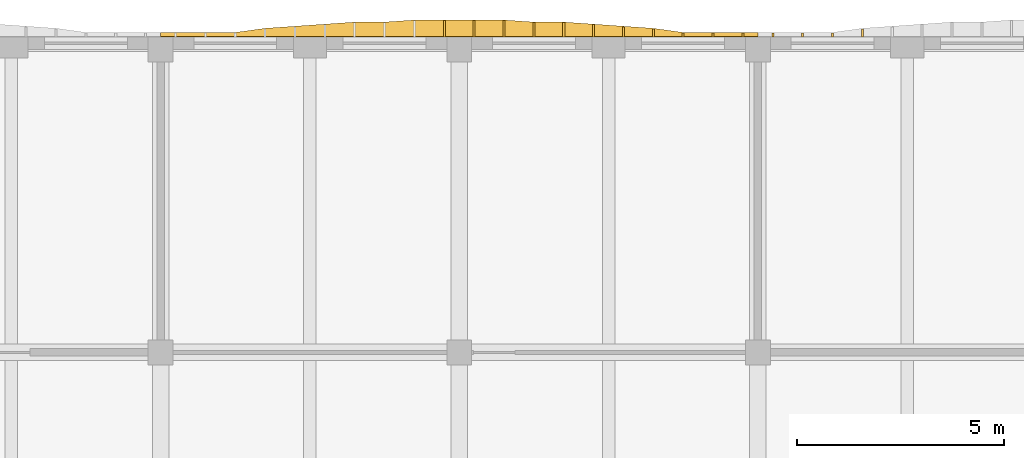
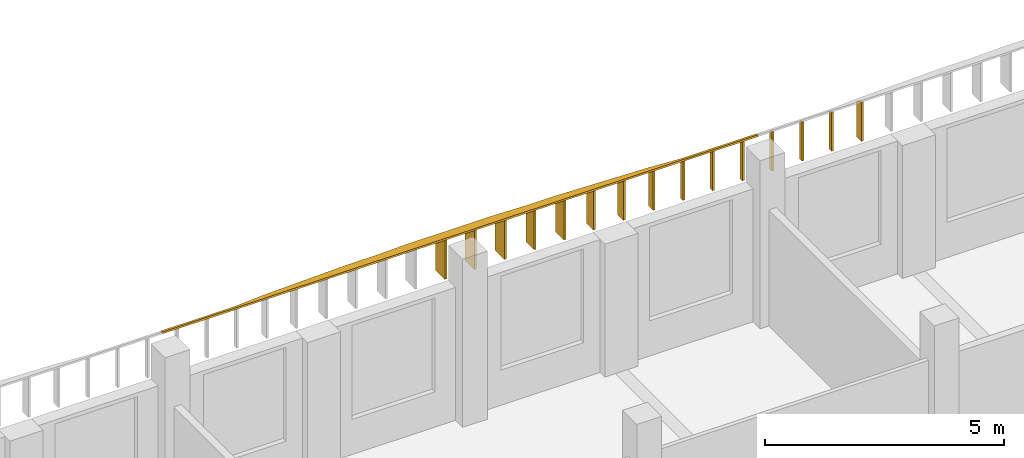
# One storey, part 27 of 38: 16 shading devices.
"""IFC4 building model written with IfcOpenShell, lengths in metres."""

import ifcopenshell
import ifcopenshell.guid

model = None  # the IFC model being written
_history = None  # IfcOwnerHistory: only IFC2X3 demands one
_inside = {}  # id of a spatial element -> (the spatial element, [elements in it])
_under = {}  # id of a project, library or spatial element -> (it, [spatial elements below it])
_declared = {}  # id of a project -> (the project, [libraries it declares])
_typed = {}  # id of a type object -> (the type object, [elements of that type])
_made_of = {}  # id of a material, layer set ... -> (it, [elements and type objects made of it])


def new_model(schema):
    """Start an empty IFC model of exactly this schema.

    Asked for "IFC4X3", IfcOpenShell would pick the latest addendum, in which some entities
    have other attributes; the version numbers below select the first issue.
    IFC2X3 requires an IfcOwnerHistory on every rooted entity: one is made here for all.
    """
    global model, _history
    if schema == "IFC4X3":
        model = ifcopenshell.file(schema_version=(4, 3, 0, 0))
    else:
        model = ifcopenshell.file(schema=schema)
    _inside.clear()
    _under.clear()
    _declared.clear()
    _typed.clear()
    _made_of.clear()
    _history = None
    if model.schema == "IFC2X3":
        org = make("IfcOrganization", Name="unknown")
        user = make(
            "IfcPersonAndOrganization",
            ThePerson=make("IfcPerson", FamilyName="unknown"),
            TheOrganization=org,
        )
        app = make(
            "IfcApplication",
            ApplicationDeveloper=org,
            Version="unknown",
            ApplicationFullName="unknown",
            ApplicationIdentifier="unknown",
        )
        _history = make(
            "IfcOwnerHistory",
            OwningUser=user,
            OwningApplication=app,
            ChangeAction="ADDED",
            CreationDate=0,
        )
    return model


def make(cls, **values):
    """One entity of the class cls with the attributes given. An attribute that is None is left unset."""
    return model.create_entity(
        cls, **{name: value for name, value in values.items() if value is not None}
    )


def rooted(cls, **values):
    """An entity with a GlobalId (a new one), such as an element, a storey or a relation."""
    return make(cls, GlobalId=ifcopenshell.guid.new(), OwnerHistory=_history, **values)


def si_unit(unit_type, name, prefix=None):
    """IfcSIUnit, for example si_unit("LENGTHUNIT", "METRE", prefix="MILLI")."""
    return make("IfcSIUnit", UnitType=unit_type, Prefix=prefix, Name=name)


def assignment(units):
    """IfcUnitAssignment: the units of a project."""
    return None if units is None else make("IfcUnitAssignment", Units=units)


def point(xyz):
    """IfcCartesianPoint."""
    return None if xyz is None else make("IfcCartesianPoint", Coordinates=xyz)


def direction(xyz):
    """IfcDirection."""
    return None if xyz is None else make("IfcDirection", DirectionRatios=xyz)


def frame(location, z_axis=None, x_axis=None):
    """IfcAxis2Placement3D, a coordinate frame: its origin and axes. An axis left out is left unset."""
    return make(
        "IfcAxis2Placement3D",
        Location=point(location),
        Axis=direction(z_axis),
        RefDirection=direction(x_axis),
    )


def origin():
    """The frame at (0, 0, 0) with its axes left unset."""
    return frame((0.0, 0.0, 0.0))


def place(relative_to, where):
    """IfcLocalPlacement: puts the frame where relative to a parent placement (None: the world)."""
    return make(
        "IfcLocalPlacement", PlacementRelTo=relative_to, RelativePlacement=where
    )


def context(
    kind, dimensions, precision=None, world=None, true_north=None, identifier=None
):
    """IfcGeometricRepresentationContext, for example the 3D "Model" context."""
    return make(
        "IfcGeometricRepresentationContext",
        ContextIdentifier=identifier,
        ContextType=kind,
        CoordinateSpaceDimension=dimensions,
        Precision=precision,
        WorldCoordinateSystem=world,
        TrueNorth=true_north,
    )


def subcontext(parent, identifier, kind, view, scale=None):
    """IfcGeometricRepresentationSubContext, for example "Body" below "Model"."""
    return make(
        "IfcGeometricRepresentationSubContext",
        ContextIdentifier=identifier,
        ContextType=kind,
        ParentContext=parent,
        TargetScale=scale,
        TargetView=view,
    )


def project(units=None, contexts=None):
    """IfcProject with its units and contexts."""
    return rooted(
        "IfcProject",
        Name="project",
        RepresentationContexts=contexts,
        UnitsInContext=assignment(units),
    )


def spatial(cls, under=None, at=None, **own):
    """A site, building, storey or space (cls), placed at a placement, below another one or the project."""
    s = rooted(cls, ObjectPlacement=at, **own)
    if under is not None:
        _under.setdefault(under.id(), (under, []))[1].append(s)
    return s


def polyline(points):
    """IfcPolyline through the points."""
    return make("IfcPolyline", Points=[point(p) for p in points])


def outline(outer, holes=None, kind="AREA"):
    """IfcArbitraryClosedProfileDef: a profile drawn as a closed curve; with holes, ...WithVoids."""
    if holes is None:
        return make("IfcArbitraryClosedProfileDef", ProfileType=kind, OuterCurve=outer)
    return make(
        "IfcArbitraryProfileDefWithVoids",
        ProfileType=kind,
        OuterCurve=outer,
        InnerCurves=holes,
    )


def extrude(swept, where, along, depth):
    """IfcExtrudedAreaSolid: the profile swept, set in the frame where, extruded along a direction by depth."""
    return make(
        "IfcExtrudedAreaSolid",
        SweptArea=swept,
        Position=where,
        ExtrudedDirection=direction(along),
        Depth=depth,
    )


def shape(context_of_items, identifier, shape_type, items):
    """IfcShapeRepresentation: the items that make up one representation, for example the "Body"."""
    return make(
        "IfcShapeRepresentation",
        ContextOfItems=context_of_items,
        RepresentationIdentifier=identifier,
        RepresentationType=shape_type,
        Items=items,
    )


def material(Name=None, Category=None):
    """IfcMaterial."""
    return make("IfcMaterial", Name=Name, Category=Category)


def layer(
    of_material, thickness, ventilated=None, Name=None, Category=None, Priority=None
):
    """IfcMaterialLayer: one layer of a wall or slab, of a material (None: an air gap)."""
    return make(
        "IfcMaterialLayer",
        Material=of_material,
        LayerThickness=thickness,
        IsVentilated=ventilated,
        Name=Name,
        Category=Category,
        Priority=Priority,
    )


def layer_set(layers, Name=None):
    """IfcMaterialLayerSet."""
    return make("IfcMaterialLayerSet", MaterialLayers=layers, LayerSetName=Name)


def made_of(thing, what):
    """Note that an element or type object is made of a material, layer set ...; save() writes the relation."""
    if what is not None:
        _made_of.setdefault(what.id(), (what, []))[1].append(thing)
    return thing


def type_object(cls, material=None, **own):
    """A type object (cls), such as IfcWallType, which elements share."""
    return made_of(rooted(cls, **own), material)


def element(
    cls,
    number,
    at=None,
    inside=None,
    cuts=None,
    type_object=None,
    material=None,
    context=None,
    identifier="Body",
    shape_type=None,
    held_by="IfcProductDefinitionShape",
    body=None,
    shapes=None,
    **own,
):
    """One element of the class cls, such as IfcWall. Its Tag is "e" and its number.

    at: its placement. inside: the storey or other place that contains it. cuts: it is an
    opening in that element (IfcRelVoidsElement). A single representation is given by context,
    identifier, shape_type and body (its items); several are given by shapes. held_by: the class
    of the entity that holds the representations. save() writes the other relations.
    """
    e = rooted(cls, Tag="e%d" % number, ObjectPlacement=at, **own)
    if body is not None:
        shapes = [shape(context, identifier, shape_type, body)]
    if shapes is not None:
        e.Representation = make(held_by, Representations=shapes)
    if inside is not None:
        _inside.setdefault(inside.id(), (inside, []))[1].append(e)
    if cuts is not None:
        rooted(
            "IfcRelVoidsElement", RelatingBuildingElement=cuts, RelatedOpeningElement=e
        )
    if type_object is not None:
        _typed.setdefault(type_object.id(), (type_object, []))[1].append(e)
    return made_of(e, material)


def aggregate(whole, parts):
    """IfcRelAggregates: a whole, such as a stair, and the parts it consists of."""
    return rooted("IfcRelAggregates", RelatingObject=whole, RelatedObjects=parts)


def save(model, path):
    """Write the relations noted so far, then the file.

    IfcRelAggregates (storeys below a building ...), IfcRelContainedInSpatialStructure (elements
    in a storey), IfcRelDefinesByType, IfcRelAssociatesMaterial and IfcRelDeclares: one each for
    every whole, place, type object, material and project.
    """
    for whole, parts in _under.values():
        aggregate(whole, parts)
    for where, things in _inside.values():
        rooted(
            "IfcRelContainedInSpatialStructure",
            RelatedElements=things,
            RelatingStructure=where,
        )
    for kind, things in _typed.values():
        rooted("IfcRelDefinesByType", RelatedObjects=things, RelatingType=kind)
    for what, things in _made_of.values():
        rooted("IfcRelAssociatesMaterial", RelatedObjects=things, RelatingMaterial=what)
    for by, libraries in _declared.values():
        rooted("IfcRelDeclares", RelatingContext=by, RelatedDefinitions=libraries)
    model.write(path)


model = new_model("IFC4")

# Units and contexts
model_context = context("Model", 3, precision=1e-05, world=origin(), true_north=direction((0.0, 1.0)))
body_context = subcontext(model_context, "Body", "Model", "MODEL_VIEW")
ifc_project = project(units=[si_unit("LENGTHUNIT", "METRE"), si_unit("AREAUNIT", "SQUARE_METRE"), si_unit("VOLUMEUNIT", "CUBIC_METRE"), si_unit("PLANEANGLEUNIT", "RADIAN"), si_unit("MASSUNIT", "GRAM", prefix="KILO")], contexts=[model_context])

# Site, building, storey
site_placement = place(None, origin())
site = spatial("IfcSite", under=ifc_project, at=site_placement, CompositionType="ELEMENT")
building_placement = place(site_placement, origin())
building = spatial("IfcBuilding", under=site, at=building_placement, Name="Ussher Court Research Institute", CompositionType="ELEMENT")
storey_placement = place(building_placement, frame((0.0, 0.0, 23.39990234375)))
storey = spatial("IfcBuildingStorey", under=building, at=storey_placement, Name="L05", CompositionType="ELEMENT", Elevation=23.39990234375)

# Shading devices
ifc_material_1 = material(Name="Bronze anodised aluminium", Category="aluminium")
ifc_layer_1 = layer(ifc_material_1, 0.050048828125)
ifc_layer_set_1 = layer_set([ifc_layer_1], Name="Bronze anodised aluminium")
shading_device_type_1 = type_object("IfcShadingDeviceType", Name="Brim blade 100 mm deep 1000 mm high canted 20 deg dry", PredefinedType="USERDEFINED", material=ifc_layer_set_1)
for number, where, z_axis, x_axis, name in (
    (1, (30.0, 90.800048828125, 3.4501953125), (0.0, 0.0, 1.0), (0.0, 1.0, 0.0), "Brim blade BS17 L05"),
    (2, (30.719970703125, 90.800048828125, 3.4501953125), (0.0, 0.0, 1.0), (0.0, 1.0, 0.0), "Brim blade BS17 L05"),
    (3, (31.43994140625, 90.800048828125, 3.4501953125), (0.0, 0.0, 1.0), (0.0, 1.0, 0.0), "Brim blade BS17 L05"),
    (4, (32.159912109375, 90.800048828125, 3.4501953125), (0.0, 0.0, 1.0), (0.0, 1.0, 0.0), "Brim blade BS17 L05"),
    (5, (32.8798828125, 90.800048828125, 3.4501953125), (0.0, 0.0, 1.0), (0.0, 1.0, 0.0), "Brim blade BS17 L05"),
    (6, (33.60009765625, 90.800048828125, 3.4501953125), (0.0, 0.0, 1.0), (0.0, 1.0, 0.0), "Brim blade BS17 L05"),
):
    element("IfcShadingDevice", number, at=place(storey_placement, frame(where, z_axis=z_axis, x_axis=x_axis)), inside=storey, type_object=shading_device_type_1, Name=name, ObjectType="BLADE", PredefinedType="USERDEFINED", context=body_context, shape_type="SweptSolid", body=[
        extrude(outline(polyline([(0.0, 0.0), (0.099853515625, 0.0), (0.10009765625, 0.963623046875), (0.0, 1.0), (0.0, 0.0)])), frame((0.0, 0.02490234375, 0.0), z_axis=(0.0, -1.0, 0.0), x_axis=(1.0, 0.0, 0.0)), (0.0, 0.0, 1.0), 0.050048828125),
    ])
ifc_material_2 = material(Name="Bronze anodised aluminium", Category="aluminium")
ifc_layer_2 = layer(ifc_material_2, 0.050048828125)
ifc_layer_set_2 = layer_set([ifc_layer_2], Name="Bronze anodised aluminium")
shading_device_type_2 = type_object("IfcShadingDeviceType", Name="Brim blade 200 mm deep 1000 mm high canted 20 deg dry", PredefinedType="USERDEFINED", material=ifc_layer_set_2)
for number, where, z_axis, x_axis, name in (
    (7, (29.280029296875, 90.800048828125, 3.4501953125), (0.0, 0.0, 1.0), (0.0, 1.0, 0.0), "Brim blade BS15 L05"),
    (8, (34.320068359375, 90.800048828125, 3.4501953125), (0.0, 0.0, 1.0), (0.0, 1.0, 0.0), "Brim blade BS15 L05"),
):
    element("IfcShadingDevice", number, at=place(storey_placement, frame(where, z_axis=z_axis, x_axis=x_axis)), inside=storey, type_object=shading_device_type_2, Name=name, ObjectType="BLADE", PredefinedType="USERDEFINED", context=body_context, shape_type="SweptSolid", body=[
        extrude(outline(polyline([(0.0, 0.0), (0.199951171875, 0.0), (0.199951171875, 0.927001953125), (0.0, 1.0), (0.0, 0.0)])), frame((0.0, 0.02490234375, 0.0), z_axis=(0.0, -1.0, 0.0), x_axis=(1.0, 0.0, 0.0)), (0.0, 0.0, 1.0), 0.050048828125),
    ])
ifc_material_3 = material(Name="Bronze anodised aluminium", Category="aluminium")
ifc_layer_3 = layer(ifc_material_3, 0.050048828125)
ifc_layer_set_3 = layer_set([ifc_layer_3], Name="Bronze anodised aluminium")
shading_device_type_3 = type_object("IfcShadingDeviceType", Name="Brim blade 250 mm deep 1000 mm high canted 20 deg dry", PredefinedType="USERDEFINED", material=ifc_layer_set_3)
shading_device_1_placement = place(storey_placement, frame((28.56005859375, 90.800048828125, 3.4501953125), z_axis=(0.0, 0.0, 1.0), x_axis=(0.0, 1.0, 0.0)))
element("IfcShadingDevice", 9, at=shading_device_1_placement, inside=storey, type_object=shading_device_type_3, Name="Brim blade BS14 L05", ObjectType="BLADE", PredefinedType="USERDEFINED", context=body_context, shape_type="SweptSolid", body=[
    extrude(outline(polyline([(0.0, 0.0), (0.25, 0.0), (0.25, 0.908935546875), (0.0, 1.0), (0.0, 0.0)])), frame((0.0, 0.02490234375, 0.0), z_axis=(0.0, -1.0, 0.0), x_axis=(1.0, 0.0, 0.0)), (0.0, 0.0, 1.0), 0.050048828125),
])
ifc_material_4 = material(Name="Bronze anodised aluminium", Category="aluminium")
ifc_layer_4 = layer(ifc_material_4, 0.050048828125)
ifc_layer_set_4 = layer_set([ifc_layer_4], Name="Bronze anodised aluminium")
shading_device_type_4 = type_object("IfcShadingDeviceType", Name="Brim blade 300 mm deep 1000 mm high canted 20 deg dry", PredefinedType="USERDEFINED", material=ifc_layer_set_4)
shading_device_2_placement = place(storey_placement, frame((27.840087890625, 90.800048828125, 3.4501953125), z_axis=(0.0, 0.0, 1.0), x_axis=(0.0, 1.0, 0.0)))
element("IfcShadingDevice", 10, at=shading_device_2_placement, inside=storey, type_object=shading_device_type_4, Name="Brim blade BS13 L05", ObjectType="BLADE", PredefinedType="USERDEFINED", context=body_context, shape_type="SweptSolid", body=[
    extrude(outline(polyline([(0.0, 0.0), (0.300048828125, 0.0), (0.300048828125, 0.890625), (0.0, 1.0), (0.0, 0.0)])), frame((0.0, 0.02490234375, 0.0), z_axis=(0.0, -1.0, 0.0), x_axis=(1.0, 0.0, 0.0)), (0.0, 0.0, 1.0), 0.050048828125),
])
ifc_material_5 = material(Name="Bronze anodised aluminium", Category="aluminium")
ifc_layer_5 = layer(ifc_material_5, 0.050048828125)
ifc_layer_set_5 = layer_set([ifc_layer_5], Name="Bronze anodised aluminium")
shading_device_type_5 = type_object("IfcShadingDeviceType", Name="Brim blade 350 mm deep 1000 mm high canted 20 deg dry", PredefinedType="USERDEFINED", material=ifc_layer_set_5)
for number, where, z_axis, x_axis, name in (
    (11, (26.39990234375, 90.800048828125, 3.4501953125), (0.0, 0.0, 1.0), (0.0, 1.0, 0.0), "Brim blade BS12 L05"),
    (12, (27.1201171875, 90.800048828125, 3.4501953125), (0.0, 0.0, 1.0), (0.0, 1.0, 0.0), "Brim blade BS12 L05"),
):
    element("IfcShadingDevice", number, at=place(storey_placement, frame(where, z_axis=z_axis, x_axis=x_axis)), inside=storey, type_object=shading_device_type_5, Name=name, ObjectType="BLADE", PredefinedType="USERDEFINED", context=body_context, shape_type="SweptSolid", body=[
        extrude(outline(polyline([(0.0, 0.0), (0.349853515625, 0.0), (0.35009765625, 0.87255859375), (0.0, 1.0), (0.0, 0.0)])), frame((0.0, 0.02490234375, 0.0), z_axis=(0.0, -1.0, 0.0), x_axis=(1.0, 0.0, 0.0)), (0.0, 0.0, 1.0), 0.050048828125),
    ])
ifc_material_6 = material(Name="Bronze anodised aluminium", Category="aluminium")
ifc_layer_6 = layer(ifc_material_6, 0.050048828125)
ifc_layer_set_6 = layer_set([ifc_layer_6], Name="Bronze anodised aluminium")
shading_device_type_6 = type_object("IfcShadingDeviceType", Name="Brim blade 400 mm deep 1000 mm high canted 20 deg dry", PredefinedType="USERDEFINED", material=ifc_layer_set_6)
for number, where, z_axis, x_axis, name in (
    (13, (24.239990234375, 90.800048828125, 3.4501953125), (0.0, 0.0, 1.0), (0.0, 1.0, 0.0), "Brim blade BS11 L05"),
    (14, (24.9599609375, 90.800048828125, 3.4501953125), (0.0, 0.0, 1.0), (0.0, 1.0, 0.0), "Brim blade BS11 L05"),
    (15, (25.679931640625, 90.800048828125, 3.4501953125), (0.0, 0.0, 1.0), (0.0, 1.0, 0.0), "Brim blade BS11 L05"),
):
    element("IfcShadingDevice", number, at=place(storey_placement, frame(where, z_axis=z_axis, x_axis=x_axis)), inside=storey, type_object=shading_device_type_6, Name=name, ObjectType="BLADE", PredefinedType="USERDEFINED", context=body_context, shape_type="SweptSolid", body=[
        extrude(outline(polyline([(0.0, 0.0), (0.39990234375, 0.0), (0.39990234375, 0.854248046875), (0.0, 1.0), (0.0, 0.0)])), frame((0.0, 0.02490234375, 0.0), z_axis=(0.0, -1.0, 0.0), x_axis=(1.0, 0.0, 0.0)), (0.0, 0.0, 1.0), 0.050048828125),
    ])
ifc_material_7 = material(Name="Bronze anodised aluminium", Category="aluminium")
ifc_layer_7 = layer(ifc_material_7, 0.0400390625)
ifc_layer_set_7 = layer_set([ifc_layer_7], Name="Bronze anodised aluminium")
shading_device_type_7 = type_object("IfcShadingDeviceType", Name="Brim visor sheet 40 mm canted 20 deg dry", PredefinedType="USERDEFINED", material=ifc_layer_set_7)
shading_device_3_placement = place(storey_placement, frame((17.39990234375, 90.813720703125, 4.48779296875), z_axis=(0.0, 0.342255779972, 0.9396068226), x_axis=(1.0, 0.0, 0.0)))
element("IfcShadingDevice", 16, at=shading_device_3_placement, inside=storey, type_object=shading_device_type_7, Name="Brim visor sheet BR2 L05", ObjectType="BRIM", PredefinedType="USERDEFINED", context=body_context, shape_type="SweptSolid", body=[
    extrude(outline(polyline([(0.0, 0.0), (14.400146484375, 0.0), (14.400146484375, 0.10650266320353347), (14.0400390625, 0.10650266320353347), (13.320068359375, 0.10650266320353347), (12.60009765625, 0.10650266320353347), (11.880126953125, 0.21285948875017546), (11.16015625, 0.2660690410819261), (10.440185546875, 0.319362151953709), (9.72021484375, 0.3725717042854596), (9.0, 0.3725717042854596), (8.280029296875, 0.4256354189603187), (7.56005859375, 0.4256354189603187), (6.840087890625, 0.4256354189603187), (6.1201171875, 0.4256354189603187), (5.400146484375, 0.3725717042854596), (4.68017578125, 0.3725717042854596), (3.960205078125, 0.319362151953709), (3.239990234375, 0.2660690410819261), (2.52001953125, 0.21285948875017546), (1.800048828125, 0.10650266320353347), (1.080078125, 0.10650266320353347), (0.360107421875, 0.10650266320353347), (0.0, 0.10650266320353347), (0.0, 0.0)])), origin(), (0.0, 0.0, -1.0), 0.0400390625),
])

save(model, "model.ifc")
